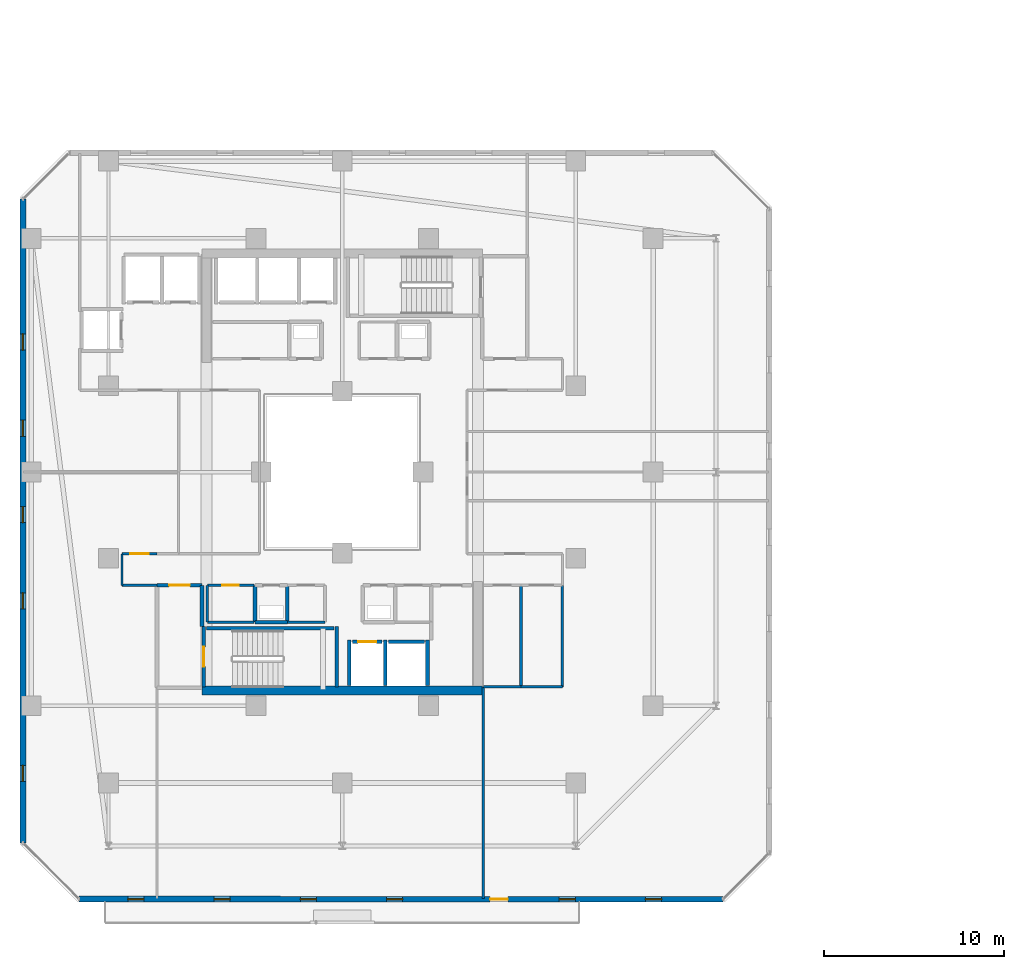
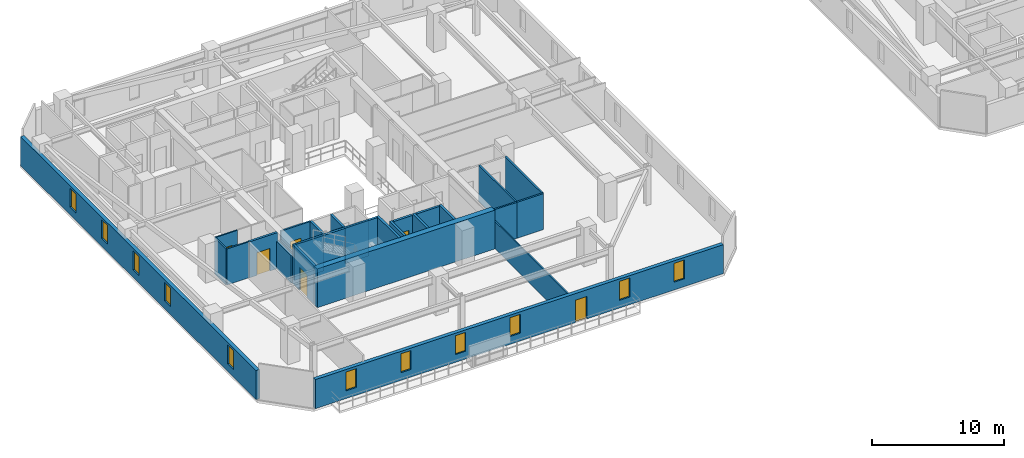
# One storey, part 19 of 33: 28 walls, 11 windows, 6 doors, 17 openings.
"""IFC4 building model written with IfcOpenShell, lengths in metres."""

from ifc_helpers import new_model, si_unit, direction, frame, frame_2d, origin, place, context, subcontext, project, spatial, rectangle, extrude, material, layer, layer_set, type_object, element, fill, save


model = new_model("IFC4")

# Units and contexts
model_context = context("Model", 3, precision=1e-05, world=origin(), true_north=direction((0.0, 1.0)))
body_context = subcontext(model_context, "Body", "Model", "MODEL_VIEW")
ifc_project = project(units=[si_unit("LENGTHUNIT", "METRE"), si_unit("AREAUNIT", "SQUARE_METRE"), si_unit("VOLUMEUNIT", "CUBIC_METRE"), si_unit("PLANEANGLEUNIT", "RADIAN"), si_unit("MASSUNIT", "GRAM", prefix="KILO")], contexts=[model_context])

# Site, building, storey
site_placement = place(None, origin())
site = spatial("IfcSite", under=ifc_project, at=site_placement, CompositionType="ELEMENT")
building_placement = place(site_placement, origin())
building = spatial("IfcBuilding", under=site, at=building_placement, Name="Thornwick Lancets Civic Towers", CompositionType="ELEMENT")
storey_placement = place(building_placement, frame((0.0, 0.0, 163.5)))
storey = spatial("IfcBuildingStorey", under=building, at=storey_placement, Name="L43", CompositionType="ELEMENT", Elevation=163.5)

# Wall, opening, door
ifc_material_1 = material(Name="Concrete blockwork C40/50", Category="masonry")
ifc_layer_1 = layer(ifc_material_1, 0.199951171875, Name="Concrete blockwork C40/50")
ifc_layer_set_1 = layer_set([ifc_layer_1], Name="Concrete blockwork C40/50")
wall_type_1 = type_object("IfcWallType", Name="WALL_COMP_200", PredefinedType="STANDARD", material=ifc_layer_set_1)
wall_1_placement = place(storey_placement, frame((26.080078125, 17.550048828125, 0.0), z_axis=(0.0, 0.0, 1.0), x_axis=(1.0, 0.0, 0.0)))
wall_1 = element("IfcWall", 1, at=wall_1_placement, inside=storey, type_object=wall_type_1, Name="L43 Hoistway Front Wall FL-A1", PredefinedType="STANDARD", context=body_context, shape_type="SweptSolid", body=[
    extrude(rectangle(XDim=1.639892578125, YDim=0.199951171875, at=frame_2d((0.81982421875, 0.0))), origin(), (0.0, 0.0, 1.0), 3.340087890625),
])
opening_1_placement = place(wall_1_placement, frame((0.31005859375, 0.0, 0.0)))
opening_1 = element("IfcOpeningElement", 2, at=opening_1_placement, cuts=wall_1, Name="Opening LD-FL-A1", PredefinedType="OPENING", context=body_context, shape_type="SweptSolid", body=[
    extrude(rectangle(XDim=1.02001953125, YDim=2.06005859375, at=frame_2d((0.510009765625, 1.030029296875))), frame((0.0, 0.10986328125, 0.0), z_axis=(0.0, -1.0, 0.0), x_axis=(1.0, 0.0, 0.0)), (0.0, 0.0, 1.0), 0.219970703125),
])
ifc_material_2 = material(Name="Brushed bronze stainless steel", Category="steel")
door_type_1 = type_object("IfcDoorType", Name="DOOR_LIFT_SLIDE", OperationType="SLIDING_TO_LEFT", PredefinedType="DOOR", material=ifc_material_2)
door_1_placement = place(opening_1_placement, origin())
door_1 = element("IfcDoor", 3, at=door_1_placement, inside=storey, type_object=door_type_1, Name="L43 Sliding Lift Landing Door LD-FL-A1", OperationType="SLIDING_TO_LEFT", OverallHeight=2.06005859375, OverallWidth=1.02001953125, PredefinedType="DOOR", context=body_context, shape_type="SweptSolid", body=[
    extrude(rectangle(XDim=1.02001953125, YDim=2.06005859375, at=frame_2d((0.510009765625, 1.030029296875))), frame((0.0, 0.02490234375, 0.0), z_axis=(0.0, -1.0, 0.0), x_axis=(1.0, 0.0, 0.0)), (0.0, 0.0, 1.0), 0.050048828125),
])
fill(opening_1, door_1)

# Walls
wall_2_placement = place(storey_placement, frame((28.080078125, 17.550048828125, 0.0), z_axis=(0.0, 0.0, 1.0), x_axis=(1.0, 0.0, 0.0)))
element("IfcWall", 4, at=wall_2_placement, inside=storey, type_object=wall_type_1, Name="L43 Hoistway Front Wall PL-AH1", PredefinedType="STANDARD", context=body_context, shape_type="SweptSolid", body=[
    extrude(rectangle(XDim=1.989990234375, YDim=0.199951171875, at=frame_2d((0.9951171875, 0.0))), origin(), (0.0, 0.0, 1.0), 3.340087890625),
])
for number, where, z_axis, x_axis, name in (
    (5, (27.89990234375, 15.112060546875, 0.0), (0.0, 0.0, 1.0), (0.0, 1.0, 0.0), "L43 Hoistway Shaft Wall FL-A1 E"),
    (6, (25.89990234375, 15.112060546875, 0.0), (0.0, 0.0, 1.0), (0.0, 1.0, 0.0), "L43 Hoistway Shaft Wall FL-A1 W"),
    (7, (30.25, 15.112060546875, 0.0), (0.0, 0.0, 1.0), (0.0, 1.0, 0.0), "L43 Hoistway Shaft Wall PL-AH1 E"),
):
    element("IfcWall", number, at=place(storey_placement, frame(where, z_axis=z_axis, x_axis=x_axis)), inside=storey, type_object=wall_type_1, Name=name, PredefinedType="STANDARD", context=body_context, shape_type="SweptSolid", body=[
        extrude(rectangle(XDim=2.535888671875, YDim=0.199951171875, at=frame_2d((1.26806640625, 0.0))), origin(), (0.0, 0.0, 1.0), 3.340087890625),
    ])
wall_3_placement = place(storey_placement, frame((17.699951171875, 18.39990234375, 0.0), z_axis=(0.0, 0.0, 1.0), x_axis=(0.0, 1.0, 0.0)))
element("IfcWall", 8, at=wall_3_placement, inside=storey, type_object=wall_type_1, Name="L43 Partition L43-A-FFLOB1 E2", PredefinedType="STANDARD", context=body_context, shape_type="SweptSolid", body=[
    extrude(rectangle(XDim=2.300048828125, YDim=0.199951171875, at=frame_2d((1.14990234375, 0.0))), origin(), (0.0, 0.0, 1.0), 2.544921875),
])

# Wall, opening, door
wall_4_placement = place(storey_placement, frame((17.699951171875, 20.699951171875, 0.0), z_axis=(0.0, 0.0, 1.0), x_axis=(-1.0, 0.0, 0.0)))
wall_4 = element("IfcWall", 9, at=wall_4_placement, inside=storey, type_object=wall_type_1, Name="L43 Partition L43-A-FFLOB1 E3", PredefinedType="STANDARD", context=body_context, shape_type="SweptSolid", body=[
    extrude(rectangle(XDim=2.5, YDim=0.199951171875, at=frame_2d((1.25, 0.0))), origin(), (0.0, 0.0, 1.0), 3.340087890625),
])
opening_2_placement = place(wall_4_placement, frame((0.675048828125, 0.0, 0.0)))
opening_2 = element("IfcOpeningElement", 10, at=opening_2_placement, cuts=wall_4, Name="Opening D-L43-1911", PredefinedType="OPENING", context=body_context, shape_type="SweptSolid", body=[
    extrude(rectangle(XDim=1.14990234375, YDim=2.10009765625, at=frame_2d((0.574951171875, 1.050048828125))), frame((0.0, 0.10986328125, 0.0), z_axis=(0.0, -1.0, 0.0), x_axis=(1.0, 0.0, 0.0)), (0.0, 0.0, 1.0), 0.219970703125),
])
ifc_material_3 = material(Name="Glazed fire-resisting steel", Category="steel")
door_type_2 = type_object("IfcDoorType", Name="DOOR_LOBBY_FD60", OperationType="NOTDEFINED", PredefinedType="DOOR", material=ifc_material_3)
door_2_placement = place(opening_2_placement, origin())
door_2 = element("IfcDoor", 11, at=door_2_placement, inside=storey, type_object=door_type_2, Name="L43 South Firefighting Lobby 1 Door", OperationType="SINGLE_SWING_RIGHT", OverallHeight=2.10009765625, OverallWidth=1.14990234375, PredefinedType="DOOR", context=body_context, shape_type="SweptSolid", body=[
    extrude(rectangle(XDim=1.14990234375, YDim=2.10009765625, at=frame_2d((0.574951171875, 1.050048828125))), frame((0.0, 0.02490234375, 0.0), z_axis=(0.0, -1.0, 0.0), x_axis=(1.0, 0.0, 0.0)), (0.0, 0.0, 1.0), 0.050048828125),
])
fill(opening_2, door_2)

# Walls
wall_5_placement = place(storey_placement, frame((20.64990234375, 18.64990234375, 0.0), z_axis=(0.0, 0.0, 1.0), x_axis=(1.0, 0.0, 0.0)))
element("IfcWall", 12, at=wall_5_placement, inside=storey, type_object=wall_type_1, Name="L43 Partition L43-A-RISER1 E1", PredefinedType="STANDARD", context=body_context, shape_type="SweptSolid", body=[
    extrude(rectangle(XDim=1.800048828125, YDim=0.199951171875, at=frame_2d((0.89990234375, 0.0))), origin(), (0.0, 0.0, 1.0), 3.340087890625),
])
for number, where, z_axis, x_axis, name in (
    (13, (22.449951171875, 18.64990234375, 0.0), (0.0, 0.0, 1.0), (0.0, 1.0, 0.0), "L43 Partition L43-A-RISER1 E2"),
    (14, (20.64990234375, 20.699951171875, 0.0), (0.0, 0.0, 1.0), (0.0, -1.0, 0.0), "L43 Partition L43-A-RISER1 E4"),
):
    element("IfcWall", number, at=place(storey_placement, frame(where, z_axis=z_axis, x_axis=x_axis)), inside=storey, type_object=wall_type_1, Name=name, PredefinedType="STANDARD", context=body_context, shape_type="SweptSolid", body=[
        extrude(rectangle(XDim=2.050048828125, YDim=0.199951171875, at=frame_2d((1.02490234375, 0.0))), origin(), (0.0, 0.0, 1.0), 3.340087890625),
    ])
ifc_material_4 = material(Name="Concrete C50/60", Category="concrete")
ifc_layer_2 = layer(ifc_material_4, 0.5, Name="Concrete C50/60")
ifc_layer_set_2 = layer_set([ifc_layer_2], Name="Concrete C50/60")
wall_type_2 = type_object("IfcWallType", Name="WALL_CORE_500", PredefinedType="SHEAR", material=ifc_layer_set_2)
wall_6_placement = place(storey_placement, frame((17.699951171875, 14.85009765625, 0.0), z_axis=(0.0, 0.0, 1.0), x_axis=(1.0, 0.0, 0.0)))
element("IfcWall", 15, at=wall_6_placement, inside=storey, type_object=wall_type_2, Name="L43 Split Core A1 Shear Wall S", PredefinedType="SHEAR", context=body_context, shape_type="SweptSolid", body=[
    extrude(rectangle(XDim=15.60009765625, YDim=0.5, at=frame_2d((7.800048828125, 0.0))), origin(), (0.0, 0.0, 1.0), 3.60009765625),
])

# Wall, openings, door, windows
ifc_material_5 = material(Name="Insulated buff terracotta rainscreen on concrete C40/50", Category="masonry")
ifc_layer_3 = layer(ifc_material_5, 0.320068359375, Name="Insulated buff terracotta rainscreen on concrete C40/50")
ifc_layer_set_3 = layer_set([ifc_layer_3], Name="Insulated buff terracotta rainscreen on concrete C40/50")
wall_type_3 = type_object("IfcWallType", Name="WALL_EXT_TERRA_320", PredefinedType="STANDARD", material=ifc_layer_set_3)
wall_7_placement = place(storey_placement, frame((10.87060546875, 3.2373046875, 0.0), z_axis=(0.0, 0.0, 1.0), x_axis=(0.999999998513, -5.4540124e-05, 0.0)))
wall_7 = element("IfcWall", 16, at=wall_7_placement, inside=storey, type_object=wall_type_3, Name="L43 Tower A Terracotta Facade Wall E0", PredefinedType="STANDARD", context=body_context, shape_type="SweptSolid", body=[
    extrude(rectangle(XDim=35.810791015625, YDim=0.320068359375, at=frame_2d((17.9052734375, 0.0))), origin(), (0.0, 0.0, 1.0), 2.699951171875),
])
opening_3_placement = place(wall_7_placement, frame((22.85546875, 0.0, 0.0)))
opening_3 = element("IfcOpeningElement", 17, at=opening_3_placement, cuts=wall_7, Name="Opening D-BL-L43-AS", PredefinedType="OPENING", context=body_context, shape_type="SweptSolid", body=[
    extrude(rectangle(XDim=1.0, YDim=2.080078125, at=frame_2d((0.5, 1.0400390625))), frame((0.0, 0.169921875, 0.0), z_axis=(0.0, -1.0, 0.0), x_axis=(1.0, 0.0, 0.0)), (0.0, 0.0, 1.0), 0.340087890625),
])
opening_4_placement = place(wall_7_placement, frame((2.699951171875, 0.0, 0.719970703125)))
opening_4 = element("IfcOpeningElement", 18, at=opening_4_placement, cuts=wall_7, Name="Opening WL-01", PredefinedType="OPENING", context=body_context, shape_type="SweptSolid", body=[
    extrude(rectangle(XDim=0.89990234375, YDim=1.75, at=frame_2d((0.449951171875, 0.875))), frame((0.0, 0.169921875, 0.0), z_axis=(0.0, -1.0, 0.0), x_axis=(1.0, 0.0, 0.0)), (0.0, 0.0, 1.0), 0.340087890625),
])
opening_5_placement = place(wall_7_placement, frame((7.5, 0.0, 0.719970703125)))
opening_5 = element("IfcOpeningElement", 19, at=opening_5_placement, cuts=wall_7, Name="Opening WL-01", PredefinedType="OPENING", context=body_context, shape_type="SweptSolid", body=[
    extrude(rectangle(XDim=0.89990234375, YDim=1.75, at=frame_2d((0.449951171875, 0.875))), frame((0.0, 0.169921875, 0.0), z_axis=(0.0, -1.0, 0.0), x_axis=(1.0, 0.0, 0.0)), (0.0, 0.0, 1.0), 0.340087890625),
])
opening_6_placement = place(wall_7_placement, frame((12.300048828125, 0.0, 0.719970703125)))
opening_6 = element("IfcOpeningElement", 20, at=opening_6_placement, cuts=wall_7, Name="Opening WL-01", PredefinedType="OPENING", context=body_context, shape_type="SweptSolid", body=[
    extrude(rectangle(XDim=0.89990234375, YDim=1.75, at=frame_2d((0.449951171875, 0.875))), frame((0.0, 0.169921875, 0.0), z_axis=(0.0, -1.0, 0.0), x_axis=(1.0, 0.0, 0.0)), (0.0, 0.0, 1.0), 0.340087890625),
])
opening_7_placement = place(wall_7_placement, frame((17.10009765625, 0.0, 0.719970703125)))
opening_7 = element("IfcOpeningElement", 21, at=opening_7_placement, cuts=wall_7, Name="Opening WL-01", PredefinedType="OPENING", context=body_context, shape_type="SweptSolid", body=[
    extrude(rectangle(XDim=0.89990234375, YDim=1.75, at=frame_2d((0.449951171875, 0.875))), frame((0.0, 0.169921875, 0.0), z_axis=(0.0, -1.0, 0.0), x_axis=(1.0, 0.0, 0.0)), (0.0, 0.0, 1.0), 0.340087890625),
])
opening_8_placement = place(wall_7_placement, frame((26.699951171875, 0.0, 0.719970703125)))
opening_8 = element("IfcOpeningElement", 22, at=opening_8_placement, cuts=wall_7, Name="Opening WL-01", PredefinedType="OPENING", context=body_context, shape_type="SweptSolid", body=[
    extrude(rectangle(XDim=0.89990234375, YDim=1.75, at=frame_2d((0.449951171875, 0.875))), frame((0.0, 0.169921875, 0.0), z_axis=(0.0, -1.0, 0.0), x_axis=(1.0, 0.0, 0.0)), (0.0, 0.0, 1.0), 0.340087890625),
])
opening_9_placement = place(wall_7_placement, frame((31.5, 0.0, 0.719970703125)))
opening_9 = element("IfcOpeningElement", 23, at=opening_9_placement, cuts=wall_7, Name="Opening WL-01", PredefinedType="OPENING", context=body_context, shape_type="SweptSolid", body=[
    extrude(rectangle(XDim=0.89990234375, YDim=1.75, at=frame_2d((0.449951171875, 0.875))), frame((0.0, 0.169921875, 0.0), z_axis=(0.0, -1.0, 0.0), x_axis=(1.0, 0.0, 0.0)), (0.0, 0.0, 1.0), 0.340087890625),
])
ifc_material_6 = material(Name="Thermally broken glazed loggia doorset")
door_type_3 = type_object("IfcDoorType", Name="DOOR_BALC_1000", OperationType="NOTDEFINED", PredefinedType="DOOR", material=ifc_material_6)
door_3_placement = place(opening_3_placement, origin())
door_3 = element("IfcDoor", 24, at=door_3_placement, inside=storey, type_object=door_type_3, Name="L43 Tower A Loggia Balcony Door S", OperationType="SINGLE_SWING_RIGHT", OverallHeight=2.080078125, OverallWidth=1.0, PredefinedType="DOOR", context=body_context, shape_type="SweptSolid", body=[
    extrude(rectangle(XDim=1.0, YDim=2.080078125, at=frame_2d((0.5, 1.0400390625))), frame((0.0, 0.02490234375, 0.0), z_axis=(0.0, -1.0, 0.0), x_axis=(1.0, 0.0, 0.0)), (0.0, 0.0, 1.0), 0.050048828125),
])
fill(opening_3, door_3)
ifc_material_7 = material(Name="Clear low-e double glazing in bronze frame", Category="glass")
window_type = type_object("IfcWindowType", Name="WIN_LANCET_900", PartitioningType="SINGLE_PANEL", PredefinedType="WINDOW", material=ifc_material_7)
window_1_placement = place(opening_4_placement, origin())
window_1 = element("IfcWindow", 25, at=window_1_placement, inside=storey, type_object=window_type, Name="L43 Tower A Staggered Lancet Window E0-1", OverallHeight=1.75, OverallWidth=0.89990234375, PartitioningType="SINGLE_PANEL", PredefinedType="WINDOW", context=body_context, shape_type="SweptSolid", body=[
    extrude(rectangle(XDim=0.89990234375, YDim=1.75, at=frame_2d((0.449951171875, 0.875))), frame((0.0, 0.030029296875, 0.0), z_axis=(0.0, -1.0, 0.0), x_axis=(1.0, 0.0, 0.0)), (0.0, 0.0, 1.0), 0.06005859375),
])
fill(opening_4, window_1)
window_2_placement = place(opening_5_placement, origin())
window_2 = element("IfcWindow", 26, at=window_2_placement, inside=storey, type_object=window_type, Name="L43 Tower A Staggered Lancet Window E0-2", OverallHeight=1.75, OverallWidth=0.89990234375, PartitioningType="SINGLE_PANEL", PredefinedType="WINDOW", context=body_context, shape_type="SweptSolid", body=[
    extrude(rectangle(XDim=0.89990234375, YDim=1.75, at=frame_2d((0.449951171875, 0.875))), frame((0.0, 0.030029296875, 0.0), z_axis=(0.0, -1.0, 0.0), x_axis=(1.0, 0.0, 0.0)), (0.0, 0.0, 1.0), 0.06005859375),
])
fill(opening_5, window_2)
window_3_placement = place(opening_6_placement, origin())
window_3 = element("IfcWindow", 27, at=window_3_placement, inside=storey, type_object=window_type, Name="L43 Tower A Staggered Lancet Window E0-3", OverallHeight=1.75, OverallWidth=0.89990234375, PartitioningType="SINGLE_PANEL", PredefinedType="WINDOW", context=body_context, shape_type="SweptSolid", body=[
    extrude(rectangle(XDim=0.89990234375, YDim=1.75, at=frame_2d((0.449951171875, 0.875))), frame((0.0, 0.030029296875, 0.0), z_axis=(0.0, -1.0, 0.0), x_axis=(1.0, 0.0, 0.0)), (0.0, 0.0, 1.0), 0.06005859375),
])
fill(opening_6, window_3)
window_4_placement = place(opening_7_placement, origin())
window_4 = element("IfcWindow", 28, at=window_4_placement, inside=storey, type_object=window_type, Name="L43 Tower A Staggered Lancet Window E0-4", OverallHeight=1.75, OverallWidth=0.89990234375, PartitioningType="SINGLE_PANEL", PredefinedType="WINDOW", context=body_context, shape_type="SweptSolid", body=[
    extrude(rectangle(XDim=0.89990234375, YDim=1.75, at=frame_2d((0.449951171875, 0.875))), frame((0.0, 0.030029296875, 0.0), z_axis=(0.0, -1.0, 0.0), x_axis=(1.0, 0.0, 0.0)), (0.0, 0.0, 1.0), 0.06005859375),
])
fill(opening_7, window_4)
window_5_placement = place(opening_8_placement, origin())
window_5 = element("IfcWindow", 29, at=window_5_placement, inside=storey, type_object=window_type, Name="L43 Tower A Staggered Lancet Window E0-5", OverallHeight=1.75, OverallWidth=0.89990234375, PartitioningType="SINGLE_PANEL", PredefinedType="WINDOW", context=body_context, shape_type="SweptSolid", body=[
    extrude(rectangle(XDim=0.89990234375, YDim=1.75, at=frame_2d((0.449951171875, 0.875))), frame((0.0, 0.030029296875, 0.0), z_axis=(0.0, -1.0, 0.0), x_axis=(1.0, 0.0, 0.0)), (0.0, 0.0, 1.0), 0.06005859375),
])
fill(opening_8, window_5)
window_6_placement = place(opening_9_placement, origin())
window_6 = element("IfcWindow", 30, at=window_6_placement, inside=storey, type_object=window_type, Name="L43 Tower A Staggered Lancet Window E0-6", OverallHeight=1.75, OverallWidth=0.89990234375, PartitioningType="SINGLE_PANEL", PredefinedType="WINDOW", context=body_context, shape_type="SweptSolid", body=[
    extrude(rectangle(XDim=0.89990234375, YDim=1.75, at=frame_2d((0.449951171875, 0.875))), frame((0.0, 0.030029296875, 0.0), z_axis=(0.0, -1.0, 0.0), x_axis=(1.0, 0.0, 0.0)), (0.0, 0.0, 1.0), 0.06005859375),
])
fill(opening_9, window_6)

# Wall, openings, windows
wall_8_placement = place(storey_placement, frame((7.7353515625, 42.181396484375, 0.0), z_axis=(0.0, 0.0, 1.0), x_axis=(5.4540124e-05, -0.999999998513, 0.0)))
wall_8 = element("IfcWall", 31, at=wall_8_placement, inside=storey, type_object=wall_type_3, Name="L43 Tower A Terracotta Facade Wall E6", PredefinedType="STANDARD", context=body_context, shape_type="SweptSolid", body=[
    extrude(rectangle(XDim=35.810791015625, YDim=0.320068359375, at=frame_2d((17.9052734375, 0.0))), origin(), (0.0, 0.0, 1.0), 2.699951171875),
])
opening_10_placement = place(wall_8_placement, frame((7.5, 0.0, 0.719970703125)))
opening_10 = element("IfcOpeningElement", 32, at=opening_10_placement, cuts=wall_8, Name="Opening WL-01", PredefinedType="OPENING", context=body_context, shape_type="SweptSolid", body=[
    extrude(rectangle(XDim=0.89990234375, YDim=1.75, at=frame_2d((0.449951171875, 0.875))), frame((0.0, 0.169921875, 0.0), z_axis=(0.0, -1.0, 0.0), x_axis=(1.0, 0.0, 0.0)), (0.0, 0.0, 1.0), 0.340087890625),
])
opening_11_placement = place(wall_8_placement, frame((12.300048828125, 0.0, 0.719970703125)))
opening_11 = element("IfcOpeningElement", 33, at=opening_11_placement, cuts=wall_8, Name="Opening WL-01", PredefinedType="OPENING", context=body_context, shape_type="SweptSolid", body=[
    extrude(rectangle(XDim=0.89990234375, YDim=1.75, at=frame_2d((0.449951171875, 0.875))), frame((0.0, 0.169921875, 0.0), z_axis=(0.0, -1.0, 0.0), x_axis=(1.0, 0.0, 0.0)), (0.0, 0.0, 1.0), 0.340087890625),
])
opening_12_placement = place(wall_8_placement, frame((17.10009765625, 0.0, 0.719970703125)))
opening_12 = element("IfcOpeningElement", 34, at=opening_12_placement, cuts=wall_8, Name="Opening WL-01", PredefinedType="OPENING", context=body_context, shape_type="SweptSolid", body=[
    extrude(rectangle(XDim=0.89990234375, YDim=1.75, at=frame_2d((0.449951171875, 0.875))), frame((0.0, 0.169921875, 0.0), z_axis=(0.0, -1.0, 0.0), x_axis=(1.0, 0.0, 0.0)), (0.0, 0.0, 1.0), 0.340087890625),
])
opening_13_placement = place(wall_8_placement, frame((21.89990234375, 0.0, 0.719970703125)))
opening_13 = element("IfcOpeningElement", 35, at=opening_13_placement, cuts=wall_8, Name="Opening WL-01", PredefinedType="OPENING", context=body_context, shape_type="SweptSolid", body=[
    extrude(rectangle(XDim=0.89990234375, YDim=1.75, at=frame_2d((0.449951171875, 0.875))), frame((0.0, 0.169921875, 0.0), z_axis=(0.0, -1.0, 0.0), x_axis=(1.0, 0.0, 0.0)), (0.0, 0.0, 1.0), 0.340087890625),
])
opening_14_placement = place(wall_8_placement, frame((31.5, 0.0, 0.719970703125)))
opening_14 = element("IfcOpeningElement", 36, at=opening_14_placement, cuts=wall_8, Name="Opening WL-01", PredefinedType="OPENING", context=body_context, shape_type="SweptSolid", body=[
    extrude(rectangle(XDim=0.89990234375, YDim=1.75, at=frame_2d((0.449951171875, 0.875))), frame((0.0, 0.169921875, 0.0), z_axis=(0.0, -1.0, 0.0), x_axis=(1.0, 0.0, 0.0)), (0.0, 0.0, 1.0), 0.340087890625),
])
window_7_placement = place(opening_10_placement, origin())
window_7 = element("IfcWindow", 37, at=window_7_placement, inside=storey, type_object=window_type, Name="L43 Tower A Staggered Lancet Window E6-1", OverallHeight=1.75, OverallWidth=0.89990234375, PartitioningType="SINGLE_PANEL", PredefinedType="WINDOW", context=body_context, shape_type="SweptSolid", body=[
    extrude(rectangle(XDim=0.89990234375, YDim=1.75, at=frame_2d((0.449951171875, 0.875))), frame((0.0, 0.030029296875, 0.0), z_axis=(0.0, -1.0, 0.0), x_axis=(1.0, 0.0, 0.0)), (0.0, 0.0, 1.0), 0.06005859375),
])
fill(opening_10, window_7)
window_8_placement = place(opening_11_placement, origin())
window_8 = element("IfcWindow", 38, at=window_8_placement, inside=storey, type_object=window_type, Name="L43 Tower A Staggered Lancet Window E6-2", OverallHeight=1.75, OverallWidth=0.89990234375, PartitioningType="SINGLE_PANEL", PredefinedType="WINDOW", context=body_context, shape_type="SweptSolid", body=[
    extrude(rectangle(XDim=0.89990234375, YDim=1.75, at=frame_2d((0.449951171875, 0.875))), frame((0.0, 0.030029296875, 0.0), z_axis=(0.0, -1.0, 0.0), x_axis=(1.0, 0.0, 0.0)), (0.0, 0.0, 1.0), 0.06005859375),
])
fill(opening_11, window_8)
window_9_placement = place(opening_12_placement, origin())
window_9 = element("IfcWindow", 39, at=window_9_placement, inside=storey, type_object=window_type, Name="L43 Tower A Staggered Lancet Window E6-3", OverallHeight=1.75, OverallWidth=0.89990234375, PartitioningType="SINGLE_PANEL", PredefinedType="WINDOW", context=body_context, shape_type="SweptSolid", body=[
    extrude(rectangle(XDim=0.89990234375, YDim=1.75, at=frame_2d((0.449951171875, 0.875))), frame((0.0, 0.030029296875, 0.0), z_axis=(0.0, -1.0, 0.0), x_axis=(1.0, 0.0, 0.0)), (0.0, 0.0, 1.0), 0.06005859375),
])
fill(opening_12, window_9)
window_10_placement = place(opening_13_placement, origin())
window_10 = element("IfcWindow", 40, at=window_10_placement, inside=storey, type_object=window_type, Name="L43 Tower A Staggered Lancet Window E6-4", OverallHeight=1.75, OverallWidth=0.89990234375, PartitioningType="SINGLE_PANEL", PredefinedType="WINDOW", context=body_context, shape_type="SweptSolid", body=[
    extrude(rectangle(XDim=0.89990234375, YDim=1.75, at=frame_2d((0.449951171875, 0.875))), frame((0.0, 0.030029296875, 0.0), z_axis=(0.0, -1.0, 0.0), x_axis=(1.0, 0.0, 0.0)), (0.0, 0.0, 1.0), 0.06005859375),
])
fill(opening_13, window_10)
window_11_placement = place(opening_14_placement, origin())
window_11 = element("IfcWindow", 41, at=window_11_placement, inside=storey, type_object=window_type, Name="L43 Tower A Staggered Lancet Window E6-5", OverallHeight=1.75, OverallWidth=0.89990234375, PartitioningType="SINGLE_PANEL", PredefinedType="WINDOW", context=body_context, shape_type="SweptSolid", body=[
    extrude(rectangle(XDim=0.89990234375, YDim=1.75, at=frame_2d((0.449951171875, 0.875))), frame((0.0, 0.030029296875, 0.0), z_axis=(0.0, -1.0, 0.0), x_axis=(1.0, 0.0, 0.0)), (0.0, 0.0, 1.0), 0.06005859375),
])
fill(opening_14, window_11)

# Wall, opening, door
ifc_material_8 = material(Name="Acoustic gypsum board partition")
ifc_layer_4 = layer(ifc_material_8, 0.1201171875, Name="Acoustic gypsum board partition")
ifc_layer_set_4 = layer_set([ifc_layer_4], Name="Acoustic gypsum board partition")
wall_type_4 = type_object("IfcWallType", Name="WALL_PART_120", PredefinedType="PARTITIONING", material=ifc_layer_set_4)
wall_9_placement = place(storey_placement, frame((15.199951171875, 22.449951171875, 0.0), z_axis=(0.0, 0.0, 1.0), x_axis=(-1.0, 0.0, 0.0)))
wall_9 = element("IfcWall", 42, at=wall_9_placement, inside=storey, type_object=wall_type_4, Name="L43 Partition L43-A-W1 E3", PredefinedType="PARTITIONING", context=body_context, shape_type="SweptSolid", body=[
    extrude(rectangle(XDim=1.949951171875, YDim=0.1201171875, at=frame_2d((0.97509765625, 0.0))), origin(), (0.0, 0.0, 1.0), 3.340087890625),
])
opening_15_placement = place(wall_9_placement, frame((0.449951171875, 0.0, 0.0)))
opening_15 = element("IfcOpeningElement", 43, at=opening_15_placement, cuts=wall_9, Name="Opening D-L43-1937", PredefinedType="OPENING", context=body_context, shape_type="SweptSolid", body=[
    extrude(rectangle(XDim=1.050048828125, YDim=2.10009765625, at=frame_2d((0.52490234375, 1.050048828125))), frame((0.0, 0.070068359375, 0.0), z_axis=(0.0, -1.0, 0.0), x_axis=(1.0, 0.0, 0.0)), (0.0, 0.0, 1.0), 0.14013671875),
])
ifc_material_9 = material(Name="Glazed European oak executive doorset")
door_type_4 = type_object("IfcDoorType", Name="DOOR_OFFICE_1050", OperationType="NOTDEFINED", PredefinedType="DOOR", material=ifc_material_9)
door_4_placement = place(opening_15_placement, origin())
door_4 = element("IfcDoor", 44, at=door_4_placement, inside=storey, type_object=door_type_4, Name="L43 Tower A Ministry Directorate Office W1 Door", OperationType="SINGLE_SWING_RIGHT", OverallHeight=2.10009765625, OverallWidth=1.050048828125, PredefinedType="DOOR", context=body_context, shape_type="SweptSolid", body=[
    extrude(rectangle(XDim=1.050048828125, YDim=2.10009765625, at=frame_2d((0.52490234375, 1.050048828125))), frame((0.0, 0.02490234375, 0.0), z_axis=(0.0, -1.0, 0.0), x_axis=(1.0, 0.0, 0.0)), (0.0, 0.0, 1.0), 0.050048828125),
])
fill(opening_15, door_4)

# Walls
wall_10_placement = place(storey_placement, frame((13.25, 22.449951171875, 0.0), z_axis=(0.0, 0.0, 1.0), x_axis=(0.0, -1.0, 0.0)))
element("IfcWall", 45, at=wall_10_placement, inside=storey, type_object=wall_type_4, Name="L43 Partition L43-A-W1 E4", PredefinedType="PARTITIONING", context=body_context, shape_type="SweptSolid", body=[
    extrude(rectangle(XDim=1.75, YDim=0.1201171875, at=frame_2d((0.875, 0.0))), origin(), (0.0, 0.0, 1.0), 3.340087890625),
])
wall_11_placement = place(storey_placement, frame((13.25, 20.699951171875, 0.0), z_axis=(0.0, 0.0, 1.0), x_axis=(1.0, 0.0, 0.0)))
element("IfcWall", 46, at=wall_11_placement, inside=storey, type_object=wall_type_4, Name="L43 Partition L43-A-W1 E5", PredefinedType="PARTITIONING", context=body_context, shape_type="SweptSolid", body=[
    extrude(rectangle(XDim=1.949951171875, YDim=0.1201171875, at=frame_2d((0.97509765625, 0.0))), origin(), (0.0, 0.0, 1.0), 3.340087890625),
])
wall_12_placement = place(storey_placement, frame((33.35009765625, 3.280029296875, 0.0), z_axis=(0.0, 0.0, 1.0), x_axis=(0.0, 1.0, 0.0)))
element("IfcWall", 47, at=wall_12_placement, inside=storey, type_object=wall_type_4, Name="L43 Partition L43-A-E1 E2", PredefinedType="PARTITIONING", context=body_context, shape_type="SweptSolid", body=[
    extrude(rectangle(XDim=11.77001953125, YDim=0.1201171875, at=frame_2d((5.885009765625, 0.0))), origin(), (0.0, 0.0, 1.0), 2.544921875),
])
ifc_material_10 = material(Name="Twin-stud acoustic gypsum board")
ifc_layer_5 = layer(ifc_material_10, 0.14990234375, Name="Twin-stud acoustic gypsum board")
ifc_layer_set_5 = layer_set([ifc_layer_5], Name="Twin-stud acoustic gypsum board")
wall_type_5 = type_object("IfcWallType", Name="WALL_PART_150", PredefinedType="PARTITIONING", material=ifc_layer_set_5)
wall_13_placement = place(storey_placement, frame((18.0, 18.64990234375, 0.0), z_axis=(0.0, 0.0, 1.0), x_axis=(1.0, 0.0, 0.0)))
element("IfcWall", 48, at=wall_13_placement, inside=storey, type_object=wall_type_5, Name="L43 Partition L43-A-MWC E1", PredefinedType="PARTITIONING", context=body_context, shape_type="SweptSolid", body=[
    extrude(rectangle(XDim=2.60009765625, YDim=0.14990234375, at=frame_2d((1.300048828125, 0.0))), origin(), (0.0, 0.0, 1.0), 3.340087890625),
])

# Wall, opening, door
wall_14_placement = place(storey_placement, frame((20.60009765625, 20.699951171875, 0.0), z_axis=(0.0, 0.0, 1.0), x_axis=(-1.0, 0.0, 0.0)))
wall_14 = element("IfcWall", 49, at=wall_14_placement, inside=storey, type_object=wall_type_5, Name="L43 Partition L43-A-MWC E3", PredefinedType="PARTITIONING", context=body_context, shape_type="SweptSolid", body=[
    extrude(rectangle(XDim=2.60009765625, YDim=0.14990234375, at=frame_2d((1.300048828125, 0.0))), origin(), (0.0, 0.0, 1.0), 3.340087890625),
])
opening_16_placement = place(wall_14_placement, frame((0.840087890625, 0.0, 0.0)))
opening_16 = element("IfcOpeningElement", 50, at=opening_16_placement, cuts=wall_14, Name="Opening D-L43-1917", PredefinedType="OPENING", context=body_context, shape_type="SweptSolid", body=[
    extrude(rectangle(XDim=0.919921875, YDim=2.080078125, at=frame_2d((0.4599609375, 1.0400390625))), frame((0.0, 0.0849609375, 0.0), z_axis=(0.0, -1.0, 0.0), x_axis=(1.0, 0.0, 0.0)), (0.0, 0.0, 1.0), 0.169921875),
])
ifc_material_11 = material(Name="Moisture-resistant oak doorset")
door_type_5 = type_object("IfcDoorType", Name="DOOR_WC_900", OperationType="NOTDEFINED", PredefinedType="DOOR", material=ifc_material_11)
door_5_placement = place(opening_16_placement, origin())
door_5 = element("IfcDoor", 51, at=door_5_placement, inside=storey, type_object=door_type_5, Name="L43 Tower A Male WC Door", OperationType="SINGLE_SWING_RIGHT", OverallHeight=2.080078125, OverallWidth=0.919921875, PredefinedType="DOOR", context=body_context, shape_type="SweptSolid", body=[
    extrude(rectangle(XDim=0.919921875, YDim=2.080078125, at=frame_2d((0.4599609375, 1.0400390625))), frame((0.0, 0.02490234375, 0.0), z_axis=(0.0, -1.0, 0.0), x_axis=(1.0, 0.0, 0.0)), (0.0, 0.0, 1.0), 0.050048828125),
])
fill(opening_16, door_5)

# Walls
wall_15_placement = place(storey_placement, frame((18.0, 20.699951171875, 0.0), z_axis=(0.0, 0.0, 1.0), x_axis=(0.0, -1.0, 0.0)))
element("IfcWall", 52, at=wall_15_placement, inside=storey, type_object=wall_type_5, Name="L43 Partition L43-A-MWC E4", PredefinedType="PARTITIONING", context=body_context, shape_type="SweptSolid", body=[
    extrude(rectangle(XDim=2.050048828125, YDim=0.14990234375, at=frame_2d((1.02490234375, 0.0))), origin(), (0.0, 0.0, 1.0), 2.544921875),
])
wall_16_placement = place(storey_placement, frame((24.550048828125, 18.64990234375, 0.0), z_axis=(0.0, 0.0, 1.0), x_axis=(-1.0, 0.0, 0.0)))
element("IfcWall", 53, at=wall_16_placement, inside=storey, type_object=wall_type_5, Name="L43 Partition L43-A-AWC E2", PredefinedType="PARTITIONING", context=body_context, shape_type="SweptSolid", body=[
    extrude(rectangle(XDim=2.10009765625, YDim=0.14990234375, at=frame_2d((1.050048828125, 0.0))), origin(), (0.0, 0.0, 1.0), 3.340087890625),
])
wall_17_placement = place(storey_placement, frame((35.449951171875, 15.050048828125, 0.0), z_axis=(0.0, 0.0, 1.0), x_axis=(-1.0, 0.0, 0.0)))
element("IfcWall", 54, at=wall_17_placement, inside=storey, type_object=wall_type_5, Name="L43 Partition L43-A-RECLAIM-L1 E1", PredefinedType="PARTITIONING", context=body_context, shape_type="SweptSolid", body=[
    extrude(rectangle(XDim=2.099853515625, YDim=0.14990234375, at=frame_2d((1.0498046875, 0.0))), origin(), (0.0, 0.0, 1.0), 3.340087890625),
])
wall_18_placement = place(storey_placement, frame((35.449951171875, 20.699951171875, 0.0), z_axis=(0.0, 0.0, 1.0), x_axis=(0.0, -1.0, 0.0)))
element("IfcWall", 55, at=wall_18_placement, inside=storey, type_object=wall_type_5, Name="L43 Partition L43-A-RECLAIM-L1 E4", PredefinedType="PARTITIONING", context=body_context, shape_type="SweptSolid", body=[
    extrude(rectangle(XDim=5.64990234375, YDim=0.14990234375, at=frame_2d((2.824951171875, 0.0))), origin(), (0.0, 0.0, 1.0), 3.340087890625),
])
wall_19_placement = place(storey_placement, frame((37.75, 15.050048828125, 0.0), z_axis=(0.0, 0.0, 1.0), x_axis=(-1.0, 0.0, 0.0)))
element("IfcWall", 56, at=wall_19_placement, inside=storey, type_object=wall_type_5, Name="L43 Partition L43-A-RECLAIM-L2 E1", PredefinedType="PARTITIONING", context=body_context, shape_type="SweptSolid", body=[
    extrude(rectangle(XDim=2.300048828125, YDim=0.14990234375, at=frame_2d((1.14990234375, 0.0))), origin(), (0.0, 0.0, 1.0), 3.340087890625),
])
wall_20_placement = place(storey_placement, frame((37.75, 20.699951171875, 0.0), z_axis=(0.0, 0.0, 1.0), x_axis=(0.0, -1.0, 0.0)))
element("IfcWall", 57, at=wall_20_placement, inside=storey, type_object=wall_type_5, Name="L43 Partition L43-A-RECLAIM-L2 E4", PredefinedType="PARTITIONING", context=body_context, shape_type="SweptSolid", body=[
    extrude(rectangle(XDim=5.64990234375, YDim=0.14990234375, at=frame_2d((2.824951171875, 0.0))), origin(), (0.0, 0.0, 1.0), 3.340087890625),
])

# Wall, opening, door
ifc_material_12 = material(Name="Concrete C40/50", Category="concrete")
ifc_layer_6 = layer(ifc_material_12, 0.199951171875, Name="Concrete C40/50")
ifc_layer_set_6 = layer_set([ifc_layer_6], Name="Concrete C40/50")
wall_type_6 = type_object("IfcWallType", Name="WALL_SHAFT_200", PredefinedType="SHEAR", material=ifc_layer_set_6)
wall_21_placement = place(storey_placement, frame((17.800048828125, 15.050048828125, 0.0), z_axis=(0.0, 0.0, 1.0), x_axis=(0.0, 1.0, 0.0)))
wall_21 = element("IfcWall", 58, at=wall_21_placement, inside=storey, type_object=wall_type_6, Name="L43 ST-A1 Fire Stair Core Wall NEAR", PredefinedType="SHEAR", context=body_context, shape_type="SweptSolid", body=[
    extrude(rectangle(XDim=3.349853515625, YDim=0.199951171875, at=frame_2d((1.6748046875, 0.0))), origin(), (0.0, 0.0, 1.0), 3.60009765625),
])
opening_17_placement = place(wall_21_placement, frame((1.125, 0.0, 0.0)))
opening_17 = element("IfcOpeningElement", 59, at=opening_17_placement, cuts=wall_21, Name="Opening D-ST-A1-L43", PredefinedType="OPENING", context=body_context, shape_type="SweptSolid", body=[
    extrude(rectangle(XDim=1.10009765625, YDim=2.10009765625, at=frame_2d((0.550048828125, 1.050048828125))), frame((0.0, 0.10986328125, 0.0), z_axis=(0.0, -1.0, 0.0), x_axis=(1.0, 0.0, 0.0)), (0.0, 0.0, 1.0), 0.219970703125),
])
ifc_material_13 = material(Name="Fire-resisting steel and hardwood", Category="steel")
door_type_6 = type_object("IfcDoorType", Name="DOOR_STAIR_FD60", OperationType="NOTDEFINED", PredefinedType="DOOR", material=ifc_material_13)
door_6_placement = place(opening_17_placement, origin())
door_6 = element("IfcDoor", 60, at=door_6_placement, inside=storey, type_object=door_type_6, Name="L43 ST-A1 Exit Stair Door", OperationType="SINGLE_SWING_RIGHT", OverallHeight=2.10009765625, OverallWidth=1.10009765625, PredefinedType="DOOR", context=body_context, shape_type="SweptSolid", body=[
    extrude(rectangle(XDim=1.10009765625, YDim=2.10009765625, at=frame_2d((0.550048828125, 1.050048828125))), frame((0.0, 0.02490234375, 0.0), z_axis=(0.0, -1.0, 0.0), x_axis=(1.0, 0.0, 0.0)), (0.0, 0.0, 1.0), 0.050048828125),
])
fill(opening_17, door_6)

# Walls
wall_22_placement = place(storey_placement, frame((25.199951171875, 18.39990234375, 0.0), z_axis=(0.0, 0.0, 1.0), x_axis=(0.0, -1.0, 0.0)))
element("IfcWall", 61, at=wall_22_placement, inside=storey, type_object=wall_type_6, Name="L43 ST-A1 Fire Stair Core Wall FAR", PredefinedType="SHEAR", context=body_context, shape_type="SweptSolid", body=[
    extrude(rectangle(XDim=3.349853515625, YDim=0.199951171875, at=frame_2d((1.6748046875, 0.0))), origin(), (0.0, 0.0, 1.0), 3.60009765625),
])
wall_23_placement = place(storey_placement, frame((25.050048828125, 18.297119140625, 0.0), z_axis=(0.0, 0.0, 1.0), x_axis=(-1.0, 0.0, 0.0)))
element("IfcWall", 62, at=wall_23_placement, inside=storey, type_object=wall_type_6, Name="L43 ST-A1 Fire Stair Core Wall RIGHT", PredefinedType="SHEAR", context=body_context, shape_type="SweptSolid", body=[
    extrude(rectangle(XDim=7.10009765625, YDim=0.199951171875, at=frame_2d((3.550048828125, 0.0))), origin(), (0.0, 0.0, 1.0), 3.60009765625),
])

save(model, "model.ifc")
